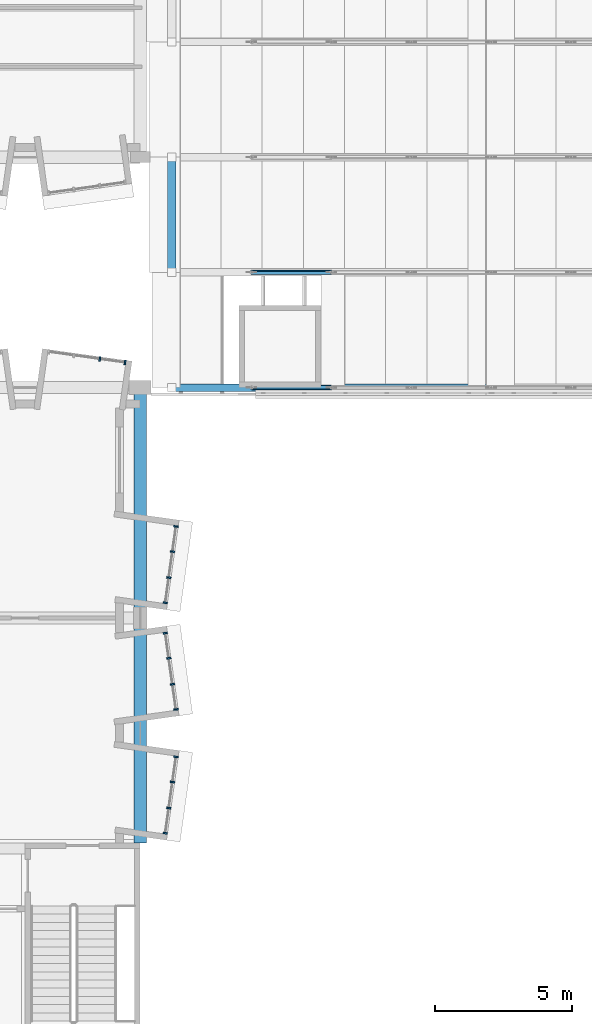
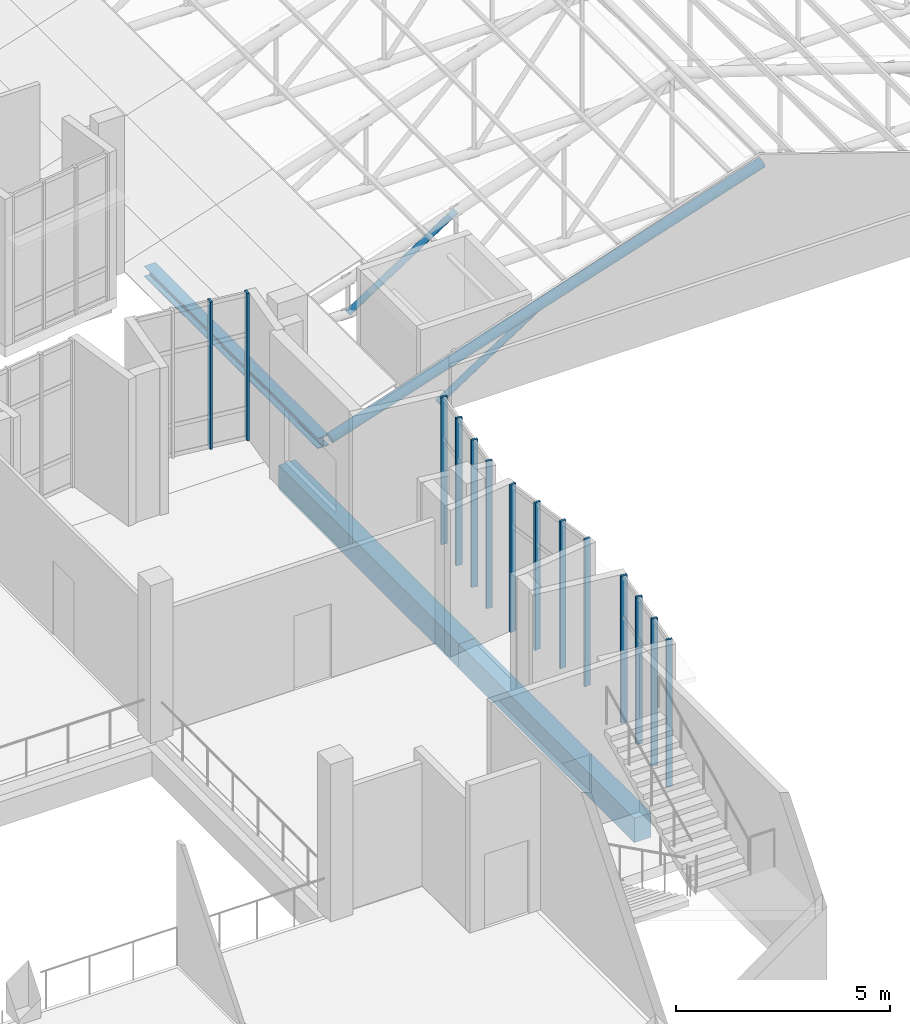
# One storey, part 4 of 95: 17 members, 3 beams, 4 elements without a shape of their own.
"""IFC4 building model written with IfcOpenShell, lengths in metres."""

from ifc_helpers import new_model, si_unit, direction, frame, origin, origin_2d, place, context, subcontext, project, spatial, rectangle, hollow_circle, i_section, extrude, material, layer, layer_set, material_profile, profile_set, type_object, element, aggregate, save


model = new_model("IFC4")

# Units and contexts
model_context = context("Model", 3, precision=1e-05, world=origin(), true_north=direction((0.0, 1.0)))
body_context = subcontext(model_context, "Body", "Model", "MODEL_VIEW")
ifc_project = project(units=[si_unit("LENGTHUNIT", "METRE"), si_unit("AREAUNIT", "SQUARE_METRE"), si_unit("VOLUMEUNIT", "CUBIC_METRE"), si_unit("PLANEANGLEUNIT", "RADIAN"), si_unit("MASSUNIT", "GRAM", prefix="KILO")], contexts=[model_context])

# Site, building, storey
site_placement = place(None, origin())
site = spatial("IfcSite", under=ifc_project, at=site_placement, CompositionType="ELEMENT")
building_placement = place(site_placement, origin())
building = spatial("IfcBuilding", under=site, at=building_placement, Name="Kiln Court Media Centre", CompositionType="ELEMENT")
storey_placement = place(building_placement, frame((0.0, 0.0, 24.60009765625)))
storey = spatial("IfcBuildingStorey", under=building, at=storey_placement, Name="L05", CompositionType="ELEMENT", Elevation=24.60009765625)

# Curtain wall, members
ifc_material_1 = material(Name="Aluminium 6063-T6", Category="aluminium")
ifc_layer = layer(ifc_material_1, 0.1201171875)
ifc_layer_set = layer_set([ifc_layer], Name="Aluminium unitised bay curtain wall")
curtain_wall_type = type_object("IfcCurtainWallType", Name="Aluminium unitised bay curtain wall", PredefinedType="USERDEFINED", material=ifc_layer_set)
curtain_wall_1_placement = place(storey_placement, origin())
curtain_wall_1 = element("IfcCurtainWall", 1, at=curtain_wall_1_placement, inside=storey, type_object=curtain_wall_type, Name="BAY V6A-E-L05-03 front", ObjectType="UNITISED CURTAIN WALL", PredefinedType="USERDEFINED")
ifc_material_2 = material(Name="Aluminium 6063-T6", Category="aluminium")
ifc_material_profile_1 = material_profile(ifc_material_2, rectangle(XDim=0.06005859375, YDim=0.159912109375, at=origin_2d()), Name="Aluminium mullion 60x160")
ifc_profile_set_1 = profile_set([ifc_material_profile_1], Name="Aluminium 6063-T6")
member_type_1 = type_object("IfcMemberType", Name="Aluminium mullion 60x160", PredefinedType="MULLION", material=ifc_profile_set_1)
member_1_placement = place(storey_placement, frame((34.513671875, 8.952880859375, 0.0), z_axis=(0.0, 0.0, 1.0), x_axis=(0.139162472554, 0.990269562409, 0.0)))
member_1 = element("IfcMember", 2, at=member_1_placement, type_object=member_type_1, Name="CW5-05 mullion 1", PredefinedType="MULLION", context=body_context, shape_type="SweptSolid", body=[
    extrude(rectangle(XDim=0.06005859375, YDim=0.159912109375, at=origin_2d()), origin(), (0.0, 0.0, 1.0), 4.199951171875),
])
member_2_placement = place(storey_placement, frame((34.642578125, 9.870361328125, 0.0), z_axis=(0.0, 0.0, 1.0), x_axis=(0.139162472554, 0.990269562409, 0.0)))
member_2 = element("IfcMember", 3, at=member_2_placement, type_object=member_type_1, Name="CW5-05 mullion 2", PredefinedType="MULLION", context=body_context, shape_type="SweptSolid", body=[
    extrude(rectangle(XDim=0.06005859375, YDim=0.159912109375, at=origin_2d()), origin(), (0.0, 0.0, 1.0), 4.199951171875),
])
member_3_placement = place(storey_placement, frame((34.775634765625, 10.81787109375, 0.0), z_axis=(0.0, 0.0, 1.0), x_axis=(0.139162472554, 0.990269562409, 0.0)))
member_3 = element("IfcMember", 4, at=member_3_placement, type_object=member_type_1, Name="CW5-05 mullion 3", PredefinedType="MULLION", context=body_context, shape_type="SweptSolid", body=[
    extrude(rectangle(XDim=0.06005859375, YDim=0.159912109375, at=origin_2d()), origin(), (0.0, 0.0, 1.0), 4.199951171875),
])
member_4_placement = place(storey_placement, frame((34.904541015625, 11.735595703125, 0.0), z_axis=(0.0, 0.0, 1.0), x_axis=(0.139162472554, 0.990269562409, 0.0)))
member_4 = element("IfcMember", 5, at=member_4_placement, type_object=member_type_1, Name="CW5-05 mullion 4", PredefinedType="MULLION", context=body_context, shape_type="SweptSolid", body=[
    extrude(rectangle(XDim=0.06005859375, YDim=0.159912109375, at=origin_2d()), origin(), (0.0, 0.0, 1.0), 4.199951171875),
])
aggregate(curtain_wall_1, [member_1, member_2, member_3, member_4])

curtain_wall_2_placement = place(storey_placement, origin())
curtain_wall_2 = element("IfcCurtainWall", 6, at=curtain_wall_2_placement, inside=storey, type_object=curtain_wall_type, Name="BAY V6A-E-L05-04 front", ObjectType="UNITISED CURTAIN WALL", PredefinedType="USERDEFINED")
member_5_placement = place(storey_placement, frame((34.904541015625, 13.464599609375, 0.0), z_axis=(0.0, 0.0, 1.0), x_axis=(-0.139162472554, 0.990269562409, 0.0)))
member_5 = element("IfcMember", 7, at=member_5_placement, type_object=member_type_1, Name="CW5-06 mullion 1", PredefinedType="MULLION", context=body_context, shape_type="SweptSolid", body=[
    extrude(rectangle(XDim=0.06005859375, YDim=0.159912109375, at=origin_2d()), origin(), (0.0, 0.0, 1.0), 4.199951171875),
])
member_6_placement = place(storey_placement, frame((34.775634765625, 14.382080078125, 0.0), z_axis=(0.0, 0.0, 1.0), x_axis=(-0.139162472554, 0.990269562409, 0.0)))
member_6 = element("IfcMember", 8, at=member_6_placement, type_object=member_type_1, Name="CW5-06 mullion 2", PredefinedType="MULLION", context=body_context, shape_type="SweptSolid", body=[
    extrude(rectangle(XDim=0.06005859375, YDim=0.159912109375, at=origin_2d()), origin(), (0.0, 0.0, 1.0), 4.199951171875),
])
member_7_placement = place(storey_placement, frame((34.642578125, 15.32958984375, 0.0), z_axis=(0.0, 0.0, 1.0), x_axis=(-0.139162472554, 0.990269562409, 0.0)))
member_7 = element("IfcMember", 9, at=member_7_placement, type_object=member_type_1, Name="CW5-06 mullion 3", PredefinedType="MULLION", context=body_context, shape_type="SweptSolid", body=[
    extrude(rectangle(XDim=0.06005859375, YDim=0.159912109375, at=origin_2d()), origin(), (0.0, 0.0, 1.0), 4.199951171875),
])
member_8_placement = place(storey_placement, frame((34.513671875, 16.2470703125, 0.0), z_axis=(0.0, 0.0, 1.0), x_axis=(-0.139162472554, 0.990269562409, 0.0)))
member_8 = element("IfcMember", 10, at=member_8_placement, type_object=member_type_1, Name="CW5-06 mullion 4", PredefinedType="MULLION", context=body_context, shape_type="SweptSolid", body=[
    extrude(rectangle(XDim=0.06005859375, YDim=0.159912109375, at=origin_2d()), origin(), (0.0, 0.0, 1.0), 4.199951171875),
])
aggregate(curtain_wall_2, [member_5, member_6, member_7, member_8])

curtain_wall_3_placement = place(storey_placement, origin())
curtain_wall_3 = element("IfcCurtainWall", 11, at=curtain_wall_3_placement, inside=storey, type_object=curtain_wall_type, Name="BAY V6A-E-L05-05 front", ObjectType="UNITISED CURTAIN WALL", PredefinedType="USERDEFINED")
member_9_placement = place(storey_placement, frame((34.513671875, 17.352783203125, 0.0), z_axis=(0.0, 0.0, 1.0), x_axis=(0.139162472554, 0.990269562409, 0.0)))
member_9 = element("IfcMember", 12, at=member_9_placement, type_object=member_type_1, Name="CW5-07 mullion 1", PredefinedType="MULLION", context=body_context, shape_type="SweptSolid", body=[
    extrude(rectangle(XDim=0.06005859375, YDim=0.159912109375, at=origin_2d()), origin(), (0.0, 0.0, 1.0), 4.199951171875),
])
member_10_placement = place(storey_placement, frame((34.642578125, 18.2705078125, 0.0), z_axis=(0.0, 0.0, 1.0), x_axis=(0.139162472554, 0.990269562409, 0.0)))
member_10 = element("IfcMember", 13, at=member_10_placement, type_object=member_type_1, Name="CW5-07 mullion 2", PredefinedType="MULLION", context=body_context, shape_type="SweptSolid", body=[
    extrude(rectangle(XDim=0.06005859375, YDim=0.159912109375, at=origin_2d()), origin(), (0.0, 0.0, 1.0), 4.199951171875),
])
member_11_placement = place(storey_placement, frame((34.775634765625, 19.2177734375, 0.0), z_axis=(0.0, 0.0, 1.0), x_axis=(0.139162472554, 0.990269562409, 0.0)))
member_11 = element("IfcMember", 14, at=member_11_placement, type_object=member_type_1, Name="CW5-07 mullion 3", PredefinedType="MULLION", context=body_context, shape_type="SweptSolid", body=[
    extrude(rectangle(XDim=0.06005859375, YDim=0.159912109375, at=origin_2d()), origin(), (0.0, 0.0, 1.0), 4.199951171875),
])
member_12_placement = place(storey_placement, frame((34.904541015625, 20.135498046875, 0.0), z_axis=(0.0, 0.0, 1.0), x_axis=(0.139162472554, 0.990269562409, 0.0)))
member_12 = element("IfcMember", 15, at=member_12_placement, type_object=member_type_1, Name="CW5-07 mullion 4", PredefinedType="MULLION", context=body_context, shape_type="SweptSolid", body=[
    extrude(rectangle(XDim=0.06005859375, YDim=0.159912109375, at=origin_2d()), origin(), (0.0, 0.0, 1.0), 4.199951171875),
])
aggregate(curtain_wall_3, [member_9, member_10, member_11, member_12])

curtain_wall_4_placement = place(storey_placement, origin())
curtain_wall_4 = element("IfcCurtainWall", 16, at=curtain_wall_4_placement, inside=storey, type_object=curtain_wall_type, Name="BAY V6A-N-L05-36 front", ObjectType="UNITISED CURTAIN WALL", PredefinedType="USERDEFINED")
member_13_placement = place(storey_placement, frame((32.129638671875, 26.242431640625, 0.0), z_axis=(0.0, 0.0, 1.0), x_axis=(0.990269562409, -0.139162472554, 0.0)))
member_13 = element("IfcMember", 17, at=member_13_placement, type_object=member_type_1, Name="CW5-14 mullion 3", PredefinedType="MULLION", context=body_context, shape_type="SweptSolid", body=[
    extrude(rectangle(XDim=0.06005859375, YDim=0.159912109375, at=origin_2d()), origin(), (0.0, 0.0, 1.0), 4.199951171875),
])
member_14_placement = place(storey_placement, frame((33.047119140625, 26.113525390625, 0.0), z_axis=(0.0, 0.0, 1.0), x_axis=(0.990269562409, -0.139162472554, 0.0)))
member_14 = element("IfcMember", 18, at=member_14_placement, type_object=member_type_1, Name="CW5-14 mullion 4", PredefinedType="MULLION", context=body_context, shape_type="SweptSolid", body=[
    extrude(rectangle(XDim=0.06005859375, YDim=0.159912109375, at=origin_2d()), origin(), (0.0, 0.0, 1.0), 4.199951171875),
])
aggregate(curtain_wall_4, [member_13, member_14])

# Beams
ifc_material_3 = material(Name="Concrete C30/37", Category="concrete")
ifc_material_profile_2 = material_profile(ifc_material_3, rectangle(XDim=0.449951171875, YDim=0.699951171875, at=origin_2d()), Name="RC 450x700")
ifc_profile_set_2 = profile_set([ifc_material_profile_2], Name="Concrete C30/37")
beam_type_1 = type_object("IfcBeamType", Name="Concrete C30/37 beam 450x700", PredefinedType="BEAM", material=ifc_profile_set_2)
beam_1_placement = place(storey_placement, frame((33.60009765625, 8.60009765625, -0.650146484375), z_axis=(0.0, 1.0, 0.0), x_axis=(-1.0, 0.0, 0.0)))
element("IfcBeam", 19, at=beam_1_placement, inside=storey, type_object=beam_type_1, Name="L05-B-1009", PredefinedType="BEAM", context=body_context, shape_type="SweptSolid", body=[
    extrude(rectangle(XDim=0.449951171875, YDim=0.699951171875, at=origin_2d()), origin(), (0.0, 0.0, 1.0), 8.199951171875),
])
beam_2_placement = place(storey_placement, frame((33.60009765625, 16.800048828125, -0.650146484375), z_axis=(0.0, 1.0, 0.0), x_axis=(-1.0, 0.0, 0.0)))
element("IfcBeam", 20, at=beam_2_placement, inside=storey, type_object=beam_type_1, Name="L05-B-1010", PredefinedType="BEAM", context=body_context, shape_type="SweptSolid", body=[
    extrude(rectangle(XDim=0.449951171875, YDim=0.699951171875, at=origin_2d()), origin(), (0.0, 0.0, 1.0), 8.39990234375),
])

# Members
ifc_material_4 = material(Name="Steel ASTM A500 Gr C", Category="steel")
ifc_material_profile_3 = material_profile(ifc_material_4, hollow_circle(Radius=0.084228515625, WallThickness=0.00634765625, at=origin_2d()), Name="CHS 168.3x6.3")
ifc_profile_set_3 = profile_set([ifc_material_profile_3], Name="Steel ASTM A500 Gr C")
member_type_2 = type_object("IfcMemberType", Name="Steel ASTM A500 Gr C CHS 168.3x6.3 truss web", PredefinedType="BRACE", material=ifc_profile_set_3)
for number, where, z_axis, x_axis, name in (
    (21, (37.66259765625, 25.199951171875, -0.013916015625), (0.838470915332, 0.0, 0.544946349784), (0.0, 1.0, 0.0), "foyer truss FT-01 diagonal 2 truss web"),
    (22, (37.66259765625, 29.39990234375, -0.013916015625), (0.838470915332, 0.0, 0.544946349784), (0.0, 1.0, 0.0), "foyer truss FT-02 diagonal 2 truss web"),
):
    element("IfcMember", number, at=place(storey_placement, frame(where, z_axis=z_axis, x_axis=x_axis)), inside=storey, type_object=member_type_2, Name=name, PredefinedType="BRACE", context=body_context, shape_type="SweptSolid", body=[
        extrude(hollow_circle(Radius=0.084228515625, WallThickness=0.00634765625, at=origin_2d()), origin(), (0.0, 0.0, 1.0), 3.473388671875),
    ])
ifc_material_5 = material(Name="Steel ASTM A500 Gr C", Category="steel")
ifc_material_profile_4 = material_profile(ifc_material_5, hollow_circle(Radius=0.136474609375, WallThickness=0.010009765625, at=origin_2d()), Name="CHS 273.0x10.0")
ifc_profile_set_4 = profile_set([ifc_material_profile_4], Name="Steel ASTM A500 Gr C")
member_type_3 = type_object("IfcMemberType", Name="Steel ASTM A500 Gr C CHS 273.0x10.0 truss chord", PredefinedType="CHORD", material=ifc_profile_set_4)
member_15_placement = place(storey_placement, frame((34.75, 25.199951171875, -0.013916015625), z_axis=(0.951053693326, 0.0, 0.309025682447), x_axis=(0.0, 1.0, 0.0)))
element("IfcMember", 23, at=member_15_placement, inside=storey, type_object=member_type_3, Name="foyer truss FT-01 west rafter truss chord", PredefinedType="CHORD", context=body_context, shape_type="SweptSolid", body=[
    extrude(hollow_circle(Radius=0.136474609375, WallThickness=0.010009765625, at=origin_2d()), origin(), (0.0, 0.0, 1.0), 12.24951171875),
])

# Beam
ifc_material_6 = material(Name="Steel ASTM A572 Gr 50", Category="steel")
ifc_material_profile_5 = material_profile(ifc_material_6, i_section(OverallWidth=0.300048828125, OverallDepth=0.300048828125, WebThickness=0.010986328125, FlangeThickness=0.01904296875, FilletRadius=0.027099609375, at=origin_2d()), Name="HE 300 B")
ifc_profile_set_5 = profile_set([ifc_material_profile_5], Name="Steel ASTM A572 Gr 50")
beam_type_2 = type_object("IfcBeamType", Name="Steel ASTM A572 Gr 50 HE 300 B foyer eaves girder", PredefinedType="BEAM", material=ifc_profile_set_5)
beam_3_placement = place(storey_placement, frame((34.75, 25.5, -0.300048828125), z_axis=(0.0, 1.0, 0.0), x_axis=(-1.0, 0.0, 0.0)))
element("IfcBeam", 24, at=beam_3_placement, inside=storey, type_object=beam_type_2, Name="foyer eaves girder at x 34.75 foyer eaves girder", PredefinedType="BEAM", context=body_context, shape_type="SweptSolid", body=[
    extrude(i_section(OverallWidth=0.300048828125, OverallDepth=0.300048828125, WebThickness=0.010986328125, FlangeThickness=0.01904296875, FilletRadius=0.027099609375, at=origin_2d()), origin(), (0.0, 0.0, 1.0), 8.10009765625),
])

save(model, "model.ifc")
